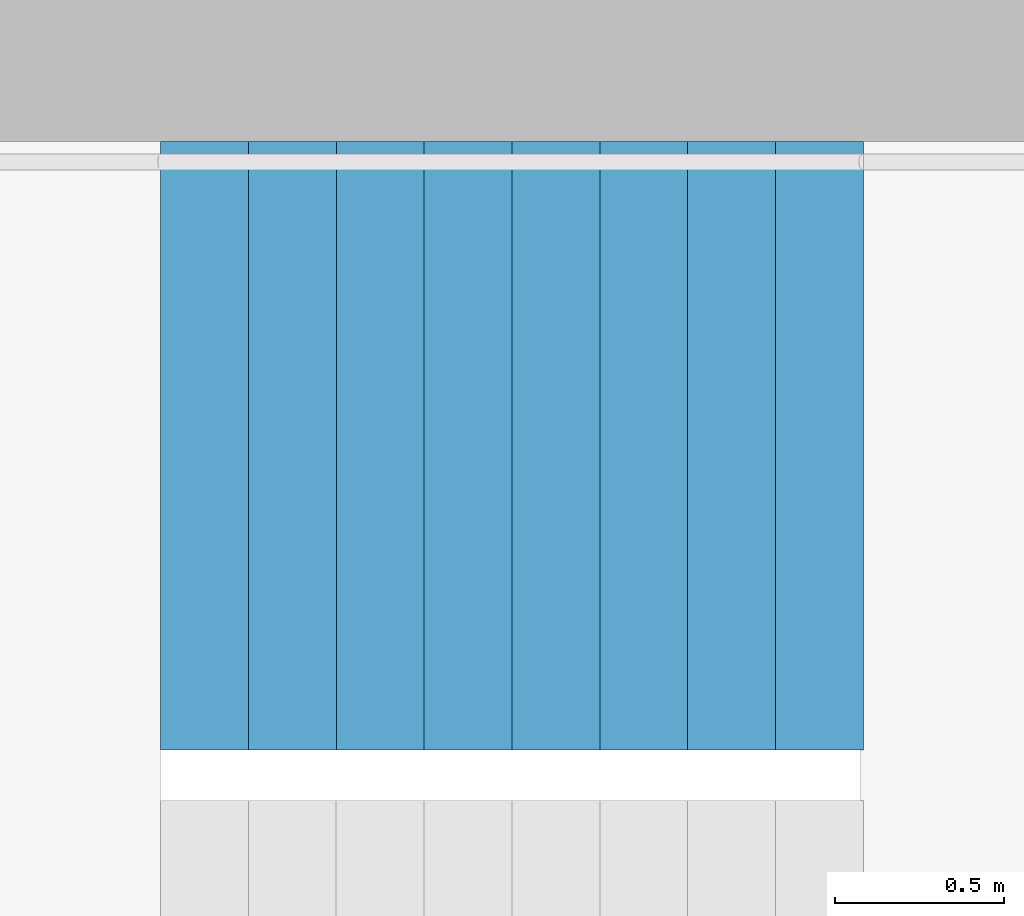
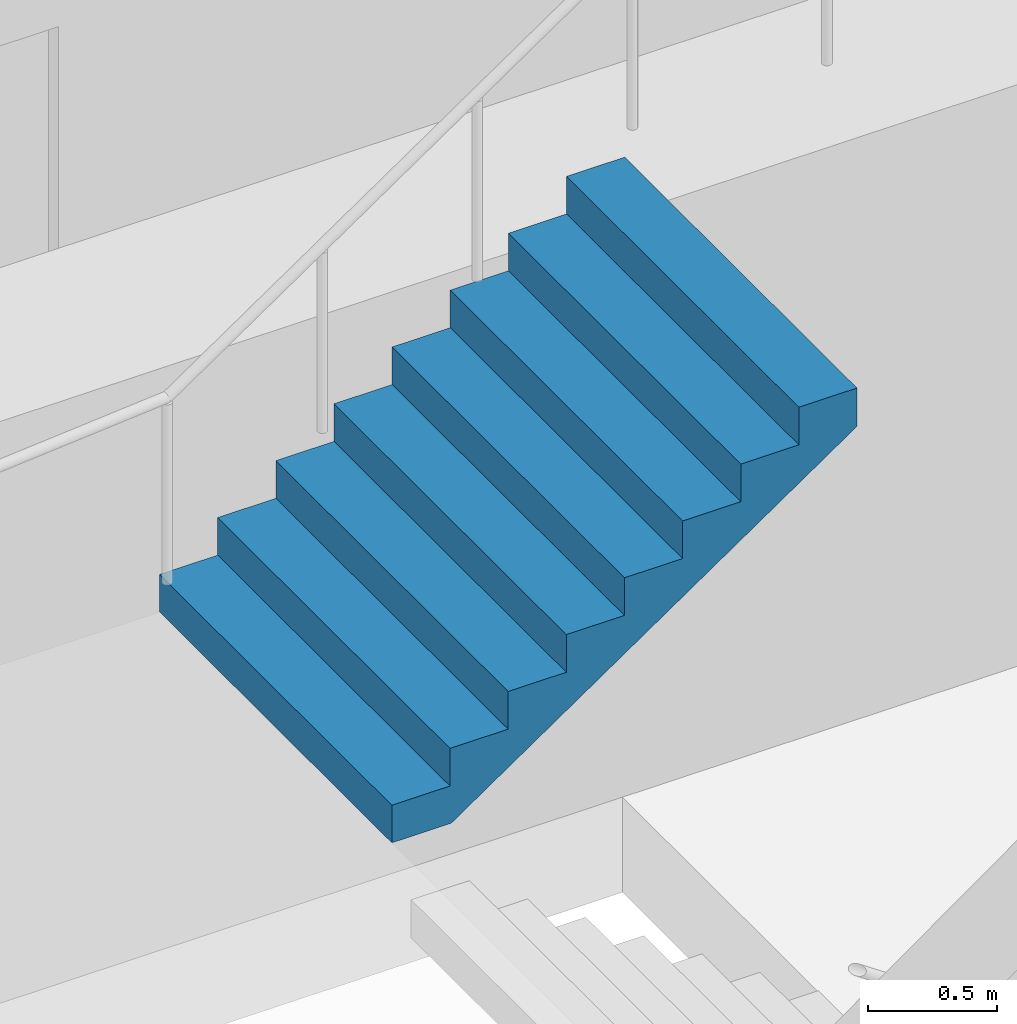
# One storey, part 25 of 26: 1 stair flight, 1 element without a shape of its own.
"""IFC4 building model written with IfcOpenShell, lengths in metres."""

from ifc_helpers import new_model, si_unit, direction, frame, origin, place, context, subcontext, project, spatial, triangles, material, type_object, element, aggregate, save


model = new_model("IFC4")

# Units and contexts
model_context = context("Model", 3, precision=1e-05, world=origin(), true_north=direction((0.0, 1.0)))
body_context = subcontext(model_context, "Body", "Model", "MODEL_VIEW")
ifc_project = project(units=[si_unit("LENGTHUNIT", "METRE"), si_unit("AREAUNIT", "SQUARE_METRE"), si_unit("VOLUMEUNIT", "CUBIC_METRE"), si_unit("PLANEANGLEUNIT", "RADIAN"), si_unit("MASSUNIT", "GRAM", prefix="KILO")], contexts=[model_context])

# Site, building, storey
site_placement = place(None, origin())
site = spatial("IfcSite", under=ifc_project, at=site_placement, CompositionType="ELEMENT")
building_placement = place(site_placement, origin())
building = spatial("IfcBuilding", under=site, at=building_placement, Name="Hakoniwa Tower and Hamabe Station Hall", CompositionType="ELEMENT")
storey_placement = place(building_placement, frame((0.0, 0.0, 215.39990234375)))
storey = spatial("IfcBuildingStorey", under=building, at=storey_placement, Name="L61", CompositionType="ELEMENT", Elevation=215.39990234375)

# Stair, stair flight
ifc_material_1 = material(Name="Concrete C40", Category="concrete")
stair_type = type_object("IfcStairType", Name="ESCAPE STAIR 1800", PredefinedType="HALF_TURN_STAIR", material=ifc_material_1)
stair_placement = place(storey_placement, origin())
stair = element("IfcStair", 1, at=stair_placement, inside=storey, type_object=stair_type, Name="Escape stair ST-3 L61", PredefinedType="HALF_TURN_STAIR")
ifc_material_2 = material(Name="Concrete C40", Category="concrete")
stair_flight_type = type_object("IfcStairFlightType", Name="STAIR FLIGHT 1800", PredefinedType="STRAIGHT", material=ifc_material_2)
stair_flight_placement = place(storey_placement, frame((22.320068359375, 6.60009765625, 1.60009765625), z_axis=(0.0, 0.0, 1.0), x_axis=(1.0, 0.0, 0.0)))
stair_flight = element("IfcStairFlight", 2, at=stair_flight_placement, type_object=stair_flight_type, Name="ST-3 flight 2", NumberOfRisers=9, NumberOfTreads=8, PredefinedType="STRAIGHT", RiserHeight=0.177777778, TreadLength=0.26, context=body_context, shape_type="Tessellation", body=[
    triangles([(0.0, 0.89990234375, 0.0), (0.260009765625, 0.89990234375, 0.0), (0.265625, 0.89990234375, 0.0), (0.52001953125, 0.89990234375, 0.174072265625), (0.780029296875, 0.89990234375, 0.351806640625), (1.0400390625, 0.89990234375, 0.529541015625), (1.300048828125, 0.89990234375, 0.707275390625), (1.56005859375, 0.89990234375, 0.885009765625), (1.820068359375, 0.89990234375, 1.062744140625), (2.080078125, 0.89990234375, 1.24072265625), (2.080078125, 0.89990234375, 1.422119140625), (1.820068359375, 0.89990234375, 1.422119140625), (1.820068359375, 0.89990234375, 1.244384765625), (1.56005859375, 0.89990234375, 1.244384765625), (1.56005859375, 0.89990234375, 1.066650390625), (1.300048828125, 0.89990234375, 1.066650390625), (1.300048828125, 0.89990234375, 0.888916015625), (1.0400390625, 0.89990234375, 0.888916015625), (1.0400390625, 0.89990234375, 0.711181640625), (0.780029296875, 0.89990234375, 0.711181640625), (0.780029296875, 0.89990234375, 0.533447265625), (0.52001953125, 0.89990234375, 0.533447265625), (0.52001953125, 0.89990234375, 0.35546875), (0.265625, 0.89990234375, 0.35546875), (0.260009765625, 0.89990234375, 0.35546875), (0.260009765625, 0.89990234375, 0.177734375), (0.0, 0.89990234375, 0.177734375), (0.0, 0.06005859375, 0.0), (0.260009765625, 0.06005859375, 0.0), (0.265625, 0.06005859375, 0.0), (0.52001953125, 0.06005859375, 0.174072265625), (0.780029296875, 0.06005859375, 0.351806640625), (1.0400390625, 0.06005859375, 0.529541015625), (1.300048828125, 0.06005859375, 0.707275390625), (1.56005859375, 0.06005859375, 0.885009765625), (1.820068359375, 0.06005859375, 1.062744140625), (2.080078125, 0.06005859375, 1.24072265625), (2.080078125, 0.06005859375, 1.422119140625), (1.820068359375, 0.06005859375, 1.422119140625), (1.820068359375, 0.06005859375, 1.244384765625), (1.56005859375, 0.06005859375, 1.244384765625), (1.56005859375, 0.06005859375, 1.066650390625), (1.300048828125, 0.06005859375, 1.066650390625), (1.300048828125, 0.06005859375, 0.888916015625), (1.0400390625, 0.06005859375, 0.888916015625), (1.0400390625, 0.06005859375, 0.711181640625), (0.780029296875, 0.06005859375, 0.711181640625), (0.780029296875, 0.06005859375, 0.533447265625), (0.52001953125, 0.06005859375, 0.533447265625), (0.52001953125, 0.06005859375, 0.35546875), (0.265625, 0.06005859375, 0.35546875), (0.260009765625, 0.06005859375, 0.35546875), (0.260009765625, 0.06005859375, 0.177734375), (0.0, 0.06005859375, 0.177734375), (0.0, 0.04296875, 0.0), (0.260009765625, 0.04296875, 0.0), (0.265625, 0.04296875, 0.0), (0.52001953125, 0.04296875, 0.174072265625), (0.780029296875, 0.04296875, 0.351806640625), (1.0400390625, 0.04296875, 0.529541015625), (1.300048828125, 0.04296875, 0.707275390625), (1.56005859375, 0.04296875, 0.885009765625), (1.820068359375, 0.04296875, 1.062744140625), (2.080078125, 0.04296875, 1.24072265625), (2.080078125, 0.04296875, 1.422119140625), (1.820068359375, 0.04296875, 1.422119140625), (1.820068359375, 0.04296875, 1.244384765625), (1.56005859375, 0.04296875, 1.244384765625), (1.56005859375, 0.04296875, 1.066650390625), (1.300048828125, 0.04296875, 1.066650390625), (1.300048828125, 0.04296875, 0.888916015625), (1.0400390625, 0.04296875, 0.888916015625), (1.0400390625, 0.04296875, 0.711181640625), (0.780029296875, 0.04296875, 0.711181640625), (0.780029296875, 0.04296875, 0.533447265625), (0.52001953125, 0.04296875, 0.533447265625), (0.52001953125, 0.04296875, 0.35546875), (0.265625, 0.04296875, 0.35546875), (0.260009765625, 0.04296875, 0.35546875), (0.260009765625, 0.04296875, 0.177734375), (0.0, 0.04296875, 0.177734375), (0.0, 0.025634765625, 0.0), (0.260009765625, 0.025634765625, 0.0), (0.265625, 0.025634765625, 0.0), (0.52001953125, 0.025634765625, 0.174072265625), (0.780029296875, 0.025634765625, 0.351806640625), (1.0400390625, 0.025634765625, 0.529541015625), (1.300048828125, 0.025634765625, 0.707275390625), (1.56005859375, 0.025634765625, 0.885009765625), (1.820068359375, 0.025634765625, 1.062744140625), (2.080078125, 0.025634765625, 1.24072265625), (2.080078125, 0.025634765625, 1.422119140625), (1.820068359375, 0.025634765625, 1.422119140625), (1.820068359375, 0.025634765625, 1.244384765625), (1.56005859375, 0.025634765625, 1.244384765625), (1.56005859375, 0.025634765625, 1.066650390625), (1.300048828125, 0.025634765625, 1.066650390625), (1.300048828125, 0.025634765625, 0.888916015625), (1.0400390625, 0.025634765625, 0.888916015625), (1.0400390625, 0.025634765625, 0.711181640625), (0.780029296875, 0.025634765625, 0.711181640625), (0.780029296875, 0.025634765625, 0.533447265625), (0.52001953125, 0.025634765625, 0.533447265625), (0.52001953125, 0.025634765625, 0.35546875), (0.265625, 0.025634765625, 0.35546875), (0.260009765625, 0.025634765625, 0.35546875), (0.260009765625, 0.025634765625, 0.177734375), (0.0, 0.025634765625, 0.177734375), (0.0, 0.008544921875, 0.0), (0.260009765625, 0.008544921875, 0.0), (0.265625, 0.008544921875, 0.0), (0.52001953125, 0.008544921875, 0.174072265625), (0.780029296875, 0.008544921875, 0.351806640625), (1.0400390625, 0.008544921875, 0.529541015625), (1.300048828125, 0.008544921875, 0.707275390625), (1.56005859375, 0.008544921875, 0.885009765625), (1.820068359375, 0.008544921875, 1.062744140625), (2.080078125, 0.008544921875, 1.24072265625), (2.080078125, 0.008544921875, 1.422119140625), (1.820068359375, 0.008544921875, 1.422119140625), (1.820068359375, 0.008544921875, 1.244384765625), (1.56005859375, 0.008544921875, 1.244384765625), (1.56005859375, 0.008544921875, 1.066650390625), (1.300048828125, 0.008544921875, 1.066650390625), (1.300048828125, 0.008544921875, 0.888916015625), (1.0400390625, 0.008544921875, 0.888916015625), (1.0400390625, 0.008544921875, 0.711181640625), (0.780029296875, 0.008544921875, 0.711181640625), (0.780029296875, 0.008544921875, 0.533447265625), (0.52001953125, 0.008544921875, 0.533447265625), (0.52001953125, 0.008544921875, 0.35546875), (0.265625, 0.008544921875, 0.35546875), (0.260009765625, 0.008544921875, 0.35546875), (0.260009765625, 0.008544921875, 0.177734375), (0.0, 0.008544921875, 0.177734375), (0.0, -0.008544921875, 0.0), (0.260009765625, -0.008544921875, 0.0), (0.265625, -0.008544921875, 0.0), (0.52001953125, -0.008544921875, 0.174072265625), (0.780029296875, -0.008544921875, 0.351806640625), (1.0400390625, -0.008544921875, 0.529541015625), (1.300048828125, -0.008544921875, 0.707275390625), (1.56005859375, -0.008544921875, 0.885009765625), (1.820068359375, -0.008544921875, 1.062744140625), (2.080078125, -0.008544921875, 1.24072265625), (2.080078125, -0.008544921875, 1.422119140625), (1.820068359375, -0.008544921875, 1.422119140625), (1.820068359375, -0.008544921875, 1.244384765625), (1.56005859375, -0.008544921875, 1.244384765625), (1.56005859375, -0.008544921875, 1.066650390625), (1.300048828125, -0.008544921875, 1.066650390625), (1.300048828125, -0.008544921875, 0.888916015625), (1.0400390625, -0.008544921875, 0.888916015625), (1.0400390625, -0.008544921875, 0.711181640625), (0.780029296875, -0.008544921875, 0.711181640625), (0.780029296875, -0.008544921875, 0.533447265625), (0.52001953125, -0.008544921875, 0.533447265625), (0.52001953125, -0.008544921875, 0.35546875), (0.265625, -0.008544921875, 0.35546875), (0.260009765625, -0.008544921875, 0.35546875), (0.260009765625, -0.008544921875, 0.177734375), (0.0, -0.008544921875, 0.177734375), (0.0, -0.025634765625, 0.0), (0.260009765625, -0.025634765625, 0.0), (0.265625, -0.025634765625, 0.0), (0.52001953125, -0.025634765625, 0.174072265625), (0.780029296875, -0.025634765625, 0.351806640625), (1.0400390625, -0.025634765625, 0.529541015625), (1.300048828125, -0.025634765625, 0.707275390625), (1.56005859375, -0.025634765625, 0.885009765625), (1.820068359375, -0.025634765625, 1.062744140625), (2.080078125, -0.025634765625, 1.24072265625), (2.080078125, -0.025634765625, 1.422119140625), (1.820068359375, -0.025634765625, 1.422119140625), (1.820068359375, -0.025634765625, 1.244384765625), (1.56005859375, -0.025634765625, 1.244384765625), (1.56005859375, -0.025634765625, 1.066650390625), (1.300048828125, -0.025634765625, 1.066650390625), (1.300048828125, -0.025634765625, 0.888916015625), (1.0400390625, -0.025634765625, 0.888916015625), (1.0400390625, -0.025634765625, 0.711181640625), (0.780029296875, -0.025634765625, 0.711181640625), (0.780029296875, -0.025634765625, 0.533447265625), (0.52001953125, -0.025634765625, 0.533447265625), (0.52001953125, -0.025634765625, 0.35546875), (0.265625, -0.025634765625, 0.35546875), (0.260009765625, -0.025634765625, 0.35546875), (0.260009765625, -0.025634765625, 0.177734375), (0.0, -0.025634765625, 0.177734375), (0.0, -0.04296875, 0.0), (0.260009765625, -0.04296875, 0.0), (0.265625, -0.04296875, 0.0), (0.52001953125, -0.04296875, 0.174072265625), (0.780029296875, -0.04296875, 0.351806640625), (1.0400390625, -0.04296875, 0.529541015625), (1.300048828125, -0.04296875, 0.707275390625), (1.56005859375, -0.04296875, 0.885009765625), (1.820068359375, -0.04296875, 1.062744140625), (2.080078125, -0.04296875, 1.24072265625), (2.080078125, -0.04296875, 1.422119140625), (1.820068359375, -0.04296875, 1.422119140625), (1.820068359375, -0.04296875, 1.244384765625), (1.56005859375, -0.04296875, 1.244384765625), (1.56005859375, -0.04296875, 1.066650390625), (1.300048828125, -0.04296875, 1.066650390625), (1.300048828125, -0.04296875, 0.888916015625), (1.0400390625, -0.04296875, 0.888916015625), (1.0400390625, -0.04296875, 0.711181640625), (0.780029296875, -0.04296875, 0.711181640625), (0.780029296875, -0.04296875, 0.533447265625), (0.52001953125, -0.04296875, 0.533447265625), (0.52001953125, -0.04296875, 0.35546875), (0.265625, -0.04296875, 0.35546875), (0.260009765625, -0.04296875, 0.35546875), (0.260009765625, -0.04296875, 0.177734375), (0.0, -0.04296875, 0.177734375), (0.0, -0.06005859375, 0.0), (0.260009765625, -0.06005859375, 0.0), (0.265625, -0.06005859375, 0.0), (0.52001953125, -0.06005859375, 0.174072265625), (0.780029296875, -0.06005859375, 0.351806640625), (1.0400390625, -0.06005859375, 0.529541015625), (1.300048828125, -0.06005859375, 0.707275390625), (1.56005859375, -0.06005859375, 0.885009765625), (1.820068359375, -0.06005859375, 1.062744140625), (2.080078125, -0.06005859375, 1.24072265625), (2.080078125, -0.06005859375, 1.422119140625), (1.820068359375, -0.06005859375, 1.422119140625), (1.820068359375, -0.06005859375, 1.244384765625), (1.56005859375, -0.06005859375, 1.244384765625), (1.56005859375, -0.06005859375, 1.066650390625), (1.300048828125, -0.06005859375, 1.066650390625), (1.300048828125, -0.06005859375, 0.888916015625), (1.0400390625, -0.06005859375, 0.888916015625), (1.0400390625, -0.06005859375, 0.711181640625), (0.780029296875, -0.06005859375, 0.711181640625), (0.780029296875, -0.06005859375, 0.533447265625), (0.52001953125, -0.06005859375, 0.533447265625), (0.52001953125, -0.06005859375, 0.35546875), (0.265625, -0.06005859375, 0.35546875), (0.260009765625, -0.06005859375, 0.35546875), (0.260009765625, -0.06005859375, 0.177734375), (0.0, -0.06005859375, 0.177734375), (0.0, -0.89990234375, 0.0), (0.260009765625, -0.89990234375, 0.0), (0.265625, -0.89990234375, 0.0), (0.52001953125, -0.89990234375, 0.174072265625), (0.780029296875, -0.89990234375, 0.351806640625), (1.0400390625, -0.89990234375, 0.529541015625), (1.300048828125, -0.89990234375, 0.707275390625), (1.56005859375, -0.89990234375, 0.885009765625), (1.820068359375, -0.89990234375, 1.062744140625), (2.080078125, -0.89990234375, 1.24072265625), (2.080078125, -0.89990234375, 1.422119140625), (1.820068359375, -0.89990234375, 1.422119140625), (1.820068359375, -0.89990234375, 1.244384765625), (1.56005859375, -0.89990234375, 1.244384765625), (1.56005859375, -0.89990234375, 1.066650390625), (1.300048828125, -0.89990234375, 1.066650390625), (1.300048828125, -0.89990234375, 0.888916015625), (1.0400390625, -0.89990234375, 0.888916015625), (1.0400390625, -0.89990234375, 0.711181640625), (0.780029296875, -0.89990234375, 0.711181640625), (0.780029296875, -0.89990234375, 0.533447265625), (0.52001953125, -0.89990234375, 0.533447265625), (0.52001953125, -0.89990234375, 0.35546875), (0.265625, -0.89990234375, 0.35546875), (0.260009765625, -0.89990234375, 0.35546875), (0.260009765625, -0.89990234375, 0.177734375), (0.0, -0.89990234375, 0.177734375)], [[2, 27, 26], [245, 269, 270], [2, 1, 27], [245, 270, 244], [3, 25, 24], [246, 267, 268], [3, 26, 25], [246, 268, 269], [3, 2, 26], [246, 269, 245], [4, 24, 23], [247, 266, 267], [4, 3, 24], [247, 267, 246], [5, 22, 21], [248, 264, 265], [5, 23, 22], [248, 265, 266], [5, 4, 23], [248, 266, 247], [6, 20, 19], [249, 262, 263], [6, 21, 20], [249, 263, 264], [6, 5, 21], [249, 264, 248], [7, 18, 17], [250, 260, 261], [7, 19, 18], [250, 261, 262], [7, 6, 19], [250, 262, 249], [8, 16, 15], [251, 258, 259], [8, 17, 16], [251, 259, 260], [8, 7, 17], [251, 260, 250], [9, 14, 13], [252, 256, 257], [9, 15, 14], [252, 257, 258], [9, 8, 15], [252, 258, 251], [10, 12, 11], [253, 254, 255], [10, 13, 12], [253, 255, 256], [10, 9, 13], [253, 256, 252], [1, 2, 29], [1, 29, 28], [28, 29, 56], [28, 56, 55], [55, 56, 83], [55, 83, 82], [82, 83, 110], [82, 110, 109], [109, 110, 137], [109, 137, 136], [136, 137, 164], [136, 164, 163], [163, 164, 191], [163, 191, 190], [190, 191, 218], [190, 218, 217], [217, 218, 245], [217, 245, 244], [2, 3, 30], [2, 30, 29], [29, 30, 57], [29, 57, 56], [56, 57, 84], [56, 84, 83], [83, 84, 111], [83, 111, 110], [110, 111, 138], [110, 138, 137], [137, 138, 165], [137, 165, 164], [164, 165, 192], [164, 192, 191], [191, 192, 219], [191, 219, 218], [218, 219, 246], [218, 246, 245], [3, 4, 31], [3, 31, 30], [30, 31, 58], [30, 58, 57], [57, 58, 85], [57, 85, 84], [84, 85, 112], [84, 112, 111], [111, 112, 139], [111, 139, 138], [138, 139, 166], [138, 166, 165], [165, 166, 193], [165, 193, 192], [192, 193, 220], [192, 220, 219], [219, 220, 247], [219, 247, 246], [4, 5, 32], [4, 32, 31], [31, 32, 59], [31, 59, 58], [58, 59, 86], [58, 86, 85], [85, 86, 113], [85, 113, 112], [112, 113, 140], [112, 140, 139], [139, 140, 167], [139, 167, 166], [166, 167, 194], [166, 194, 193], [193, 194, 221], [193, 221, 220], [220, 221, 248], [220, 248, 247], [5, 6, 33], [5, 33, 32], [32, 33, 60], [32, 60, 59], [59, 60, 87], [59, 87, 86], [86, 87, 114], [86, 114, 113], [113, 114, 141], [113, 141, 140], [140, 141, 168], [140, 168, 167], [167, 168, 195], [167, 195, 194], [194, 195, 222], [194, 222, 221], [221, 222, 249], [221, 249, 248], [6, 7, 34], [6, 34, 33], [33, 34, 61], [33, 61, 60], [60, 61, 88], [60, 88, 87], [87, 88, 115], [87, 115, 114], [114, 115, 142], [114, 142, 141], [141, 142, 169], [141, 169, 168], [168, 169, 196], [168, 196, 195], [195, 196, 223], [195, 223, 222], [222, 223, 250], [222, 250, 249], [7, 8, 35], [7, 35, 34], [34, 35, 62], [34, 62, 61], [61, 62, 89], [61, 89, 88], [88, 89, 116], [88, 116, 115], [115, 116, 143], [115, 143, 142], [142, 143, 170], [142, 170, 169], [169, 170, 197], [169, 197, 196], [196, 197, 224], [196, 224, 223], [223, 224, 251], [223, 251, 250], [8, 9, 36], [8, 36, 35], [35, 36, 63], [35, 63, 62], [62, 63, 90], [62, 90, 89], [89, 90, 117], [89, 117, 116], [116, 117, 144], [116, 144, 143], [143, 144, 171], [143, 171, 170], [170, 171, 198], [170, 198, 197], [197, 198, 225], [197, 225, 224], [224, 225, 252], [224, 252, 251], [9, 10, 37], [9, 37, 36], [36, 37, 64], [36, 64, 63], [63, 64, 91], [63, 91, 90], [90, 91, 118], [90, 118, 117], [117, 118, 145], [117, 145, 144], [144, 145, 172], [144, 172, 171], [171, 172, 199], [171, 199, 198], [198, 199, 226], [198, 226, 225], [225, 226, 253], [225, 253, 252], [10, 11, 38], [10, 38, 37], [37, 38, 65], [37, 65, 64], [64, 65, 92], [64, 92, 91], [91, 92, 119], [91, 119, 118], [118, 119, 146], [118, 146, 145], [145, 146, 173], [145, 173, 172], [172, 173, 200], [172, 200, 199], [199, 200, 227], [199, 227, 226], [226, 227, 254], [226, 254, 253], [11, 12, 39], [11, 39, 38], [38, 39, 66], [38, 66, 65], [65, 66, 93], [65, 93, 92], [92, 93, 120], [92, 120, 119], [119, 120, 147], [119, 147, 146], [146, 147, 174], [146, 174, 173], [173, 174, 201], [173, 201, 200], [200, 201, 228], [200, 228, 227], [227, 228, 255], [227, 255, 254], [12, 13, 40], [12, 40, 39], [39, 40, 67], [39, 67, 66], [66, 67, 94], [66, 94, 93], [93, 94, 121], [93, 121, 120], [120, 121, 148], [120, 148, 147], [147, 148, 175], [147, 175, 174], [174, 175, 202], [174, 202, 201], [201, 202, 229], [201, 229, 228], [228, 229, 256], [228, 256, 255], [13, 14, 41], [13, 41, 40], [40, 41, 68], [40, 68, 67], [67, 68, 95], [67, 95, 94], [94, 95, 122], [94, 122, 121], [121, 122, 149], [121, 149, 148], [148, 149, 176], [148, 176, 175], [175, 176, 203], [175, 203, 202], [202, 203, 230], [202, 230, 229], [229, 230, 257], [229, 257, 256], [14, 15, 42], [14, 42, 41], [41, 42, 69], [41, 69, 68], [68, 69, 96], [68, 96, 95], [95, 96, 123], [95, 123, 122], [122, 123, 150], [122, 150, 149], [149, 150, 177], [149, 177, 176], [176, 177, 204], [176, 204, 203], [203, 204, 231], [203, 231, 230], [230, 231, 258], [230, 258, 257], [15, 16, 43], [15, 43, 42], [42, 43, 70], [42, 70, 69], [69, 70, 97], [69, 97, 96], [96, 97, 124], [96, 124, 123], [123, 124, 151], [123, 151, 150], [150, 151, 178], [150, 178, 177], [177, 178, 205], [177, 205, 204], [204, 205, 232], [204, 232, 231], [231, 232, 259], [231, 259, 258], [16, 17, 44], [16, 44, 43], [43, 44, 71], [43, 71, 70], [70, 71, 98], [70, 98, 97], [97, 98, 125], [97, 125, 124], [124, 125, 152], [124, 152, 151], [151, 152, 179], [151, 179, 178], [178, 179, 206], [178, 206, 205], [205, 206, 233], [205, 233, 232], [232, 233, 260], [232, 260, 259], [17, 18, 45], [17, 45, 44], [44, 45, 72], [44, 72, 71], [71, 72, 99], [71, 99, 98], [98, 99, 126], [98, 126, 125], [125, 126, 153], [125, 153, 152], [152, 153, 180], [152, 180, 179], [179, 180, 207], [179, 207, 206], [206, 207, 234], [206, 234, 233], [233, 234, 261], [233, 261, 260], [18, 19, 46], [18, 46, 45], [45, 46, 73], [45, 73, 72], [72, 73, 100], [72, 100, 99], [99, 100, 127], [99, 127, 126], [126, 127, 154], [126, 154, 153], [153, 154, 181], [153, 181, 180], [180, 181, 208], [180, 208, 207], [207, 208, 235], [207, 235, 234], [234, 235, 262], [234, 262, 261], [19, 20, 47], [19, 47, 46], [46, 47, 74], [46, 74, 73], [73, 74, 101], [73, 101, 100], [100, 101, 128], [100, 128, 127], [127, 128, 155], [127, 155, 154], [154, 155, 182], [154, 182, 181], [181, 182, 209], [181, 209, 208], [208, 209, 236], [208, 236, 235], [235, 236, 263], [235, 263, 262], [20, 21, 48], [20, 48, 47], [47, 48, 75], [47, 75, 74], [74, 75, 102], [74, 102, 101], [101, 102, 129], [101, 129, 128], [128, 129, 156], [128, 156, 155], [155, 156, 183], [155, 183, 182], [182, 183, 210], [182, 210, 209], [209, 210, 237], [209, 237, 236], [236, 237, 264], [236, 264, 263], [21, 22, 49], [21, 49, 48], [48, 49, 76], [48, 76, 75], [75, 76, 103], [75, 103, 102], [102, 103, 130], [102, 130, 129], [129, 130, 157], [129, 157, 156], [156, 157, 184], [156, 184, 183], [183, 184, 211], [183, 211, 210], [210, 211, 238], [210, 238, 237], [237, 238, 265], [237, 265, 264], [22, 23, 50], [22, 50, 49], [49, 50, 77], [49, 77, 76], [76, 77, 104], [76, 104, 103], [103, 104, 131], [103, 131, 130], [130, 131, 158], [130, 158, 157], [157, 158, 185], [157, 185, 184], [184, 185, 212], [184, 212, 211], [211, 212, 239], [211, 239, 238], [238, 239, 266], [238, 266, 265], [23, 24, 51], [23, 51, 50], [50, 51, 78], [50, 78, 77], [77, 78, 105], [77, 105, 104], [104, 105, 132], [104, 132, 131], [131, 132, 159], [131, 159, 158], [158, 159, 186], [158, 186, 185], [185, 186, 213], [185, 213, 212], [212, 213, 240], [212, 240, 239], [239, 240, 267], [239, 267, 266], [24, 25, 52], [24, 52, 51], [51, 52, 79], [51, 79, 78], [78, 79, 106], [78, 106, 105], [105, 106, 133], [105, 133, 132], [132, 133, 160], [132, 160, 159], [159, 160, 187], [159, 187, 186], [186, 187, 214], [186, 214, 213], [213, 214, 241], [213, 241, 240], [240, 241, 268], [240, 268, 267], [25, 26, 53], [25, 53, 52], [52, 53, 80], [52, 80, 79], [79, 80, 107], [79, 107, 106], [106, 107, 134], [106, 134, 133], [133, 134, 161], [133, 161, 160], [160, 161, 188], [160, 188, 187], [187, 188, 215], [187, 215, 214], [214, 215, 242], [214, 242, 241], [241, 242, 269], [241, 269, 268], [26, 27, 54], [26, 54, 53], [53, 54, 81], [53, 81, 80], [80, 81, 108], [80, 108, 107], [107, 108, 135], [107, 135, 134], [134, 135, 162], [134, 162, 161], [161, 162, 189], [161, 189, 188], [188, 189, 216], [188, 216, 215], [215, 216, 243], [215, 243, 242], [242, 243, 270], [242, 270, 269], [27, 1, 28], [27, 28, 54], [54, 28, 55], [54, 55, 81], [81, 55, 82], [81, 82, 108], [108, 82, 109], [108, 109, 135], [135, 109, 136], [135, 136, 162], [162, 136, 163], [162, 163, 189], [189, 163, 190], [189, 190, 216], [216, 190, 217], [216, 217, 243], [243, 217, 244], [243, 244, 270]], closed=True),
])
aggregate(stair, [stair_flight])

save(model, "model.ifc")
